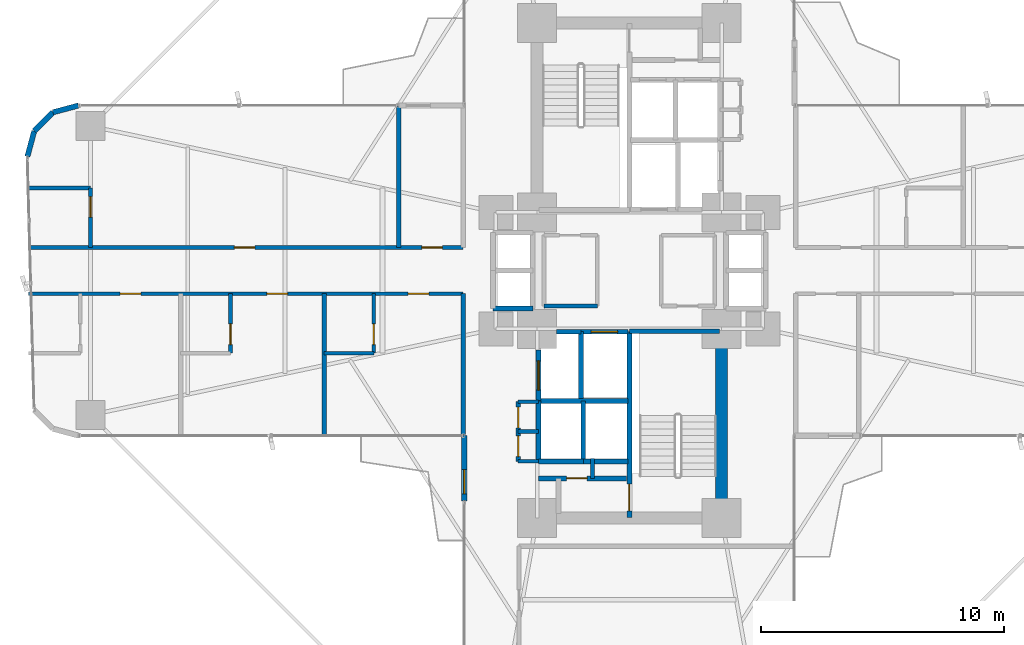
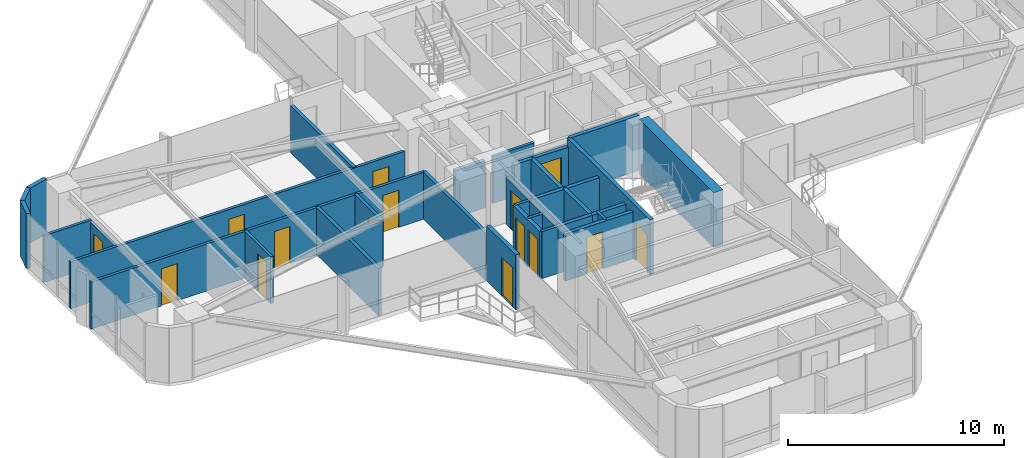
# One storey, part 22 of 25: 34 walls, 15 doors, 15 openings.
"""IFC4 building model written with IfcOpenShell, lengths in metres."""

from ifc_helpers import new_model, si_unit, direction, frame, frame_2d, origin, origin_2d, place, context, subcontext, project, spatial, rectangle, extrude, source, transform, mapped, material, layer, layer_set, type_object, element, fill, save


model = new_model("IFC4")

# Units and contexts
model_context = context("Model", 3, precision=1e-05, world=origin(), true_north=direction((0.0, 1.0)))
body_context = subcontext(model_context, "Body", "Model", "MODEL_VIEW")
ifc_project = project(units=[si_unit("LENGTHUNIT", "METRE"), si_unit("AREAUNIT", "SQUARE_METRE"), si_unit("VOLUMEUNIT", "CUBIC_METRE"), si_unit("PLANEANGLEUNIT", "RADIAN"), si_unit("MASSUNIT", "GRAM", prefix="KILO")], contexts=[model_context])

# Site, building, storey
site_placement = place(None, origin())
site = spatial("IfcSite", under=ifc_project, at=site_placement, CompositionType="ELEMENT")
building_placement = place(site_placement, origin())
building = spatial("IfcBuilding", under=site, at=building_placement, Name="Sahyath Konkavel Grand Hotel", CompositionType="ELEMENT")
storey_placement = place(building_placement, frame((0.0, 0.0, 33.14990234375)))
storey = spatial("IfcBuildingStorey", under=building, at=storey_placement, Name="L08", CompositionType="ELEMENT", Elevation=33.14990234375)

# Walls
ifc_material_1 = material(Name="Concrete C70/85", Category="concrete")
ifc_layer_1 = layer(ifc_material_1, 0.5)
ifc_layer_set_1 = layer_set([ifc_layer_1], Name="Concrete C70/85")
wall_type_1 = type_object("IfcWallType", Name="CWALL-500", PredefinedType="SHEAR", material=ifc_layer_set_1)
wall_1_placement = place(storey_placement, frame((3.800048828125, -9.75, 0.0), z_axis=(0.0, 0.0, 1.0), x_axis=(0.0, 1.0, 0.0)))
element("IfcWall", 1, at=wall_1_placement, inside=storey, type_object=wall_type_1, Name="L08 South Core Shear Wall E", PredefinedType="SHEAR", context=body_context, shape_type="SweptSolid", body=[
    extrude(rectangle(XDim=6.89990234375, YDim=0.5, at=frame_2d((3.449951171875, 0.0))), origin(), (0.0, 0.0, 1.0), 3.110107421875),
])
ifc_material_2 = material(Name="Warm Buff Sandstone Insulated Concrete C40/50", Category="masonry")
ifc_layer_2 = layer(ifc_material_2, 0.219970703125)
ifc_layer_set_2 = layer_set([ifc_layer_2], Name="Warm Buff Sandstone Insulated Concrete C40/50")
wall_type_2 = type_object("IfcWallType", Name="WLL-BALC-THRESH", PredefinedType="STANDARD", material=ifc_layer_set_2)
for number, where, z_axis, x_axis, name in (
    (2, (-22.699951171875, 6.800048828125, 0.0), (0.0, 0.0, 1.0), (-0.965951058412, -0.25872485917, 0.0), "L08 Rounded Corner Sandstone Pier 17"),
    (3, (-23.75, 6.518798828125, 0.0), (0.0, 0.0, 1.0), (-0.707106781187, -0.707106781187, 0.0), "L08 Rounded Corner Sandstone Pier 18"),
    (4, (-24.518798828125, 5.75, 0.0), (0.0, 0.0, 1.0), (-0.25872485917, -0.965951058412, 0.0), "L08 Rounded Corner Sandstone Pier 19"),
):
    element("IfcWall", number, at=place(storey_placement, frame(where, z_axis=z_axis, x_axis=x_axis)), inside=storey, type_object=wall_type_2, Name=name, PredefinedType="STANDARD", context=body_context, shape_type="SweptSolid", body=[
        extrude(rectangle(XDim=1.087158203125, YDim=0.219970703125, at=frame_2d((0.54345703125, 0.0))), origin(), (0.0, 0.0, 1.0), 3.110107421875),
    ])

# Wall, opening, door
wall_2_placement = place(storey_placement, frame((-6.800048828125, -6.800048828125, 0.0), z_axis=(0.0, 0.0, 1.0), x_axis=(0.0, -1.0, 0.0)))
wall_2 = element("IfcWall", 5, at=wall_2_placement, inside=storey, type_object=wall_type_2, Name="L08 Winter-Garden Threshold Wall 24", PredefinedType="STANDARD", context=body_context, shape_type="SweptSolid", body=[
    extrude(rectangle(XDim=2.699951171875, YDim=0.219970703125, at=frame_2d((1.35009765625, 0.0))), origin(), (0.0, 0.0, 1.0), 3.110107421875),
])
opening_1_placement = place(wall_2_placement, frame((1.39990234375, 0.0, 0.0)))
opening_1 = element("IfcOpeningElement", 6, at=opening_1_placement, cuts=wall_2, Name="Opening D-TR1", PredefinedType="OPENING", context=body_context, shape_type="SweptSolid", body=[
    extrude(rectangle(XDim=1.0, YDim=2.199951171875, at=frame_2d((0.5, 1.10009765625))), frame((0.0, 0.1201171875, 0.0), z_axis=(0.0, -1.0, 0.0), x_axis=(1.0, 0.0, 0.0)), (0.0, 0.0, 1.0), 0.239990234375),
])
ifc_material_3 = material(Name="Anodised Bronze Aluminium & Low-E Glazing", Category="aluminium")
door_type_1 = type_object("IfcDoorType", Name="DR-TERRACE-1000", OperationType="NOTDEFINED", PredefinedType="DOOR", material=ifc_material_3)
shared_shape_1 = source(origin(), body_context, "Body", "SweptSolid", [
    extrude(rectangle(XDim=1.0, YDim=0.050048828125, at=origin_2d()), origin(), (0.0, 0.0, 1.0), 2.199951171875),
])
door_1_placement = place(opening_1_placement, frame((0.5, 0.0, 0.0)))
door_1 = element("IfcDoor", 7, at=door_1_placement, inside=storey, type_object=door_type_1, Name="L08 Winter-Garden Terrace Door 24", OperationType="SINGLE_SWING_LEFT", OverallHeight=2.199951171875, OverallWidth=1.0, PredefinedType="DOOR", context=body_context, shape_type="MappedRepresentation", body=[
    mapped(shared_shape_1, transform((0.0, 0.0, 0.0), scale=1.0)),
])
fill(opening_1, door_1)

ifc_material_4 = material(Name="Concrete C40/50", Category="concrete")
ifc_layer_3 = layer(ifc_material_4, 0.199951171875)
ifc_layer_set_3 = layer_set([ifc_layer_3], Name="Concrete C40/50")
wall_type_3 = type_object("IfcWallType", Name="WLL-CORE-200", PredefinedType="SOLIDWALL", material=ifc_layer_set_3)
wall_3_placement = place(storey_placement, frame((0.0, -10.179931640625, 0.0), z_axis=(0.0, 0.0, 1.0), x_axis=(0.0, 1.0, 0.0)))
wall_3 = element("IfcWall", 8, at=wall_3_placement, inside=storey, type_object=wall_type_3, Name="L08 Stair ST-2 Shaft Wall W", PredefinedType="SOLIDWALL", context=body_context, shape_type="SweptSolid", body=[
    extrude(rectangle(XDim=7.679931640625, YDim=0.199951171875, at=frame_2d((3.83984375, 0.0))), origin(), (0.0, 0.0, 1.0), 3.110107421875),
])
opening_2_placement = place(wall_3_placement, frame((0.280029296875, 0.0, 0.0)))
opening_2 = element("IfcOpeningElement", 9, at=opening_2_placement, cuts=wall_3, Name="Opening D-F12B", PredefinedType="OPENING", context=body_context, shape_type="SweptSolid", body=[
    extrude(rectangle(XDim=1.10009765625, YDim=2.14990234375, at=frame_2d((0.550048828125, 1.074951171875))), frame((0.0, 0.10986328125, 0.0), z_axis=(0.0, -1.0, 0.0), x_axis=(1.0, 0.0, 0.0)), (0.0, 0.0, 1.0), 0.219970703125),
])
ifc_material_5 = material(Name="Steel E350 Smokeproof Fire Door", Category="steel")
door_type_2 = type_object("IfcDoorType", Name="DR-FD120-1100", OperationType="NOTDEFINED", PredefinedType="DOOR", material=ifc_material_5)
shared_shape_2 = source(origin(), body_context, "Body", "SweptSolid", [
    extrude(rectangle(XDim=1.10009765625, YDim=0.050048828125, at=origin_2d()), origin(), (0.0, 0.0, 1.0), 2.14990234375),
])
door_2_placement = place(opening_2_placement, frame((0.550048828125, 0.0, 0.0)))
door_2 = element("IfcDoor", 10, at=door_2_placement, inside=storey, type_object=door_type_2, Name="L08 Stair ST-2 Fire Door", OperationType="SINGLE_SWING_RIGHT", OverallHeight=2.14990234375, OverallWidth=1.10009765625, PredefinedType="DOOR", context=body_context, shape_type="MappedRepresentation", body=[
    mapped(shared_shape_2, transform((0.0, 0.0, 0.0), scale=1.0)),
])
fill(opening_2, door_2)

# Walls
wall_4_placement = place(storey_placement, frame((0.0, -2.5, 0.0), z_axis=(0.0, 0.0, 1.0), x_axis=(1.0, 0.0, 0.0)))
element("IfcWall", 11, at=wall_4_placement, inside=storey, type_object=wall_type_3, Name="L08 Stair ST-2 Shaft Wall N", PredefinedType="SOLIDWALL", context=body_context, shape_type="SweptSolid", body=[
    extrude(rectangle(XDim=3.719970703125, YDim=0.199951171875, at=frame_2d((1.85986328125, 0.0))), origin(), (0.0, 0.0, 1.0), 3.110107421875),
])
wall_5_placement = place(storey_placement, frame((-2.0, -5.280029296875, 0.0), z_axis=(0.0, 0.0, 1.0), x_axis=(0.0, 1.0, 0.0)))
element("IfcWall", 12, at=wall_5_placement, inside=storey, type_object=wall_type_3, Name="L08 Partition SH-FFL2-W", PredefinedType="SOLIDWALL", context=body_context, shape_type="SweptSolid", body=[
    extrude(rectangle(XDim=2.780029296875, YDim=0.199951171875, at=frame_2d((1.39013671875, 0.0))), origin(), (0.0, 0.0, 1.0), 2.66015625),
])

# Wall, opening, door
wall_6_placement = place(storey_placement, frame((-2.0, -2.52001953125, 0.0), z_axis=(0.0, 0.0, 1.0), x_axis=(1.0, 0.0, 0.0)))
wall_6 = element("IfcWall", 13, at=wall_6_placement, inside=storey, type_object=wall_type_3, Name="L08 Partition SH-FFL2-N", PredefinedType="SOLIDWALL", context=body_context, shape_type="SweptSolid", body=[
    extrude(rectangle(XDim=1.949951171875, YDim=0.199951171875, at=frame_2d((0.97509765625, 0.0))), origin(), (0.0, 0.0, 1.0), 2.66015625),
])
opening_3_placement = place(wall_6_placement, frame((0.419921875, 0.0, 0.0)))
opening_3 = element("IfcOpeningElement", 14, at=opening_3_placement, cuts=wall_6, Name="Opening LD-11", PredefinedType="OPENING", context=body_context, shape_type="SweptSolid", body=[
    extrude(rectangle(XDim=1.10009765625, YDim=2.199951171875, at=frame_2d((0.550048828125, 1.10009765625))), frame((0.0, 0.10986328125, 0.0), z_axis=(0.0, -1.0, 0.0), x_axis=(1.0, 0.0, 0.0)), (0.0, 0.0, 1.0), 0.219970703125),
])
ifc_material_6 = material(Name="Bronze Lift Landing Door 1100")
door_type_3 = type_object("IfcDoorType", Name="DR-LIFT-1100", OperationType="DOUBLE_DOOR_SLIDING", PredefinedType="DOOR", material=ifc_material_6)
shared_shape_3 = source(origin(), body_context, "Body", "SweptSolid", [
    extrude(rectangle(XDim=1.10009765625, YDim=0.050048828125, at=origin_2d()), origin(), (0.0, 0.0, 1.0), 2.199951171875),
])
door_3_placement = place(opening_3_placement, frame((0.550048828125, 0.0, 0.0)))
door_3 = element("IfcDoor", 15, at=door_3_placement, inside=storey, type_object=door_type_3, Name="L08 Lift FFL-2 Landing Door", OperationType="DOUBLE_DOOR_SLIDING", OverallHeight=2.199951171875, OverallWidth=1.10009765625, PredefinedType="DOOR", context=body_context, shape_type="MappedRepresentation", body=[
    mapped(shared_shape_3, transform((0.0, 0.0, 0.0), scale=1.0)),
])
fill(opening_3, door_3)

# Wall
wall_7_placement = place(storey_placement, frame((-3.0, -2.52001953125, 0.0), z_axis=(0.0, 0.0, 1.0), x_axis=(1.0, 0.0, 0.0)))
element("IfcWall", 16, at=wall_7_placement, inside=storey, type_object=wall_type_3, Name="L08 Partition SH-SVL2-N", PredefinedType="SOLIDWALL", context=body_context, shape_type="SweptSolid", body=[
    extrude(rectangle(XDim=1.0, YDim=0.199951171875, at=frame_2d((0.5, 0.0))), origin(), (0.0, 0.0, 1.0), 2.66015625),
])

# Wall, opening, door
wall_8_placement = place(storey_placement, frame((-3.739990234375, -5.360107421875, 0.0), z_axis=(0.0, 0.0, 1.0), x_axis=(0.0, 1.0, 0.0)))
wall_8 = element("IfcWall", 17, at=wall_8_placement, inside=storey, type_object=wall_type_3, Name="L08 Partition SH-SVL2-W", PredefinedType="SOLIDWALL", context=body_context, shape_type="SweptSolid", body=[
    extrude(rectangle(XDim=2.080078125, YDim=0.199951171875, at=frame_2d((1.0400390625, 0.0))), origin(), (0.0, 0.0, 1.0), 2.66015625),
])
opening_4_placement = place(wall_8_placement, frame((0.43994140625, 0.0, 0.0)))
opening_4 = element("IfcOpeningElement", 18, at=opening_4_placement, cuts=wall_8, Name="Opening LD-12", PredefinedType="OPENING", context=body_context, shape_type="SweptSolid", body=[
    extrude(rectangle(XDim=1.199951171875, YDim=2.199951171875, at=frame_2d((0.60009765625, 1.10009765625))), frame((0.0, 0.10986328125, 0.0), z_axis=(0.0, -1.0, 0.0), x_axis=(1.0, 0.0, 0.0)), (0.0, 0.0, 1.0), 0.219970703125),
])
ifc_material_7 = material(Name="Stainless Steel Lift Landing Door 1200", Category="steel")
door_type_4 = type_object("IfcDoorType", Name="DR-LIFT-1200", OperationType="DOUBLE_DOOR_SLIDING", PredefinedType="DOOR", material=ifc_material_7)
shared_shape_4 = source(origin(), body_context, "Body", "SweptSolid", [
    extrude(rectangle(XDim=1.199951171875, YDim=0.050048828125, at=origin_2d()), origin(), (0.0, 0.0, 1.0), 2.199951171875),
])
door_4_placement = place(opening_4_placement, frame((0.60009765625, 0.0, 0.0)))
door_4 = element("IfcDoor", 19, at=door_4_placement, inside=storey, type_object=door_type_4, Name="L08 Service Lift SVL-2 Landing Door", OperationType="DOUBLE_DOOR_SLIDING", OverallHeight=2.199951171875, OverallWidth=1.199951171875, PredefinedType="DOOR", context=body_context, shape_type="MappedRepresentation", body=[
    mapped(shared_shape_4, transform((0.0, 0.0, 0.0), scale=1.0)),
])
fill(opening_4, door_4)

# Walls
wall_9_placement = place(storey_placement, frame((-3.739990234375, -7.860107421875, 0.0), z_axis=(0.0, 0.0, 1.0), x_axis=(0.0, 1.0, 0.0)))
element("IfcWall", 20, at=wall_9_placement, inside=storey, type_object=wall_type_3, Name="L08 Partition SH-PL3-W", PredefinedType="SOLIDWALL", context=body_context, shape_type="SweptSolid", body=[
    extrude(rectangle(XDim=2.480224609375, YDim=0.199951171875, at=frame_2d((1.240234375, 0.0))), origin(), (0.0, 0.0, 1.0), 2.66015625),
])
wall_10_placement = place(storey_placement, frame((-3.739990234375, -7.860107421875, 0.0), z_axis=(0.0, 0.0, 1.0), x_axis=(1.0, 0.0, 0.0)))
element("IfcWall", 21, at=wall_10_placement, inside=storey, type_object=wall_type_3, Name="L08 Partition SH-PL3-S", PredefinedType="SOLIDWALL", context=body_context, shape_type="SweptSolid", body=[
    extrude(rectangle(XDim=1.840087890625, YDim=0.199951171875, at=frame_2d((0.919921875, 0.0))), origin(), (0.0, 0.0, 1.0), 2.66015625),
])
wall_11_placement = place(storey_placement, frame((-3.739990234375, -5.3798828125, 0.0), z_axis=(0.0, 0.0, 1.0), x_axis=(1.0, 0.0, 0.0)))
element("IfcWall", 22, at=wall_11_placement, inside=storey, type_object=wall_type_3, Name="L08 Partition SH-PL34-N", PredefinedType="SOLIDWALL", context=body_context, shape_type="SweptSolid", body=[
    extrude(rectangle(XDim=3.68994140625, YDim=0.199951171875, at=frame_2d((1.844970703125, 0.0))), origin(), (0.0, 0.0, 1.0), 2.66015625),
])
wall_12_placement = place(storey_placement, frame((-1.89990234375, -7.860107421875, 0.0), z_axis=(0.0, 0.0, 1.0), x_axis=(0.0, 1.0, 0.0)))
element("IfcWall", 23, at=wall_12_placement, inside=storey, type_object=wall_type_3, Name="L08 Partition SH-PL34-M", PredefinedType="SOLIDWALL", context=body_context, shape_type="SweptSolid", body=[
    extrude(rectangle(XDim=2.480224609375, YDim=0.199951171875, at=frame_2d((1.240234375, 0.0))), origin(), (0.0, 0.0, 1.0), 2.66015625),
])
wall_13_placement = place(storey_placement, frame((-1.89990234375, -7.860107421875, 0.0), z_axis=(0.0, 0.0, 1.0), x_axis=(1.0, 0.0, 0.0)))
element("IfcWall", 24, at=wall_13_placement, inside=storey, type_object=wall_type_3, Name="L08 Partition SH-PL4-S", PredefinedType="SOLIDWALL", context=body_context, shape_type="SweptSolid", body=[
    extrude(rectangle(XDim=1.849853515625, YDim=0.199951171875, at=frame_2d((0.9248046875, 0.0))), origin(), (0.0, 0.0, 1.0), 2.66015625),
])
wall_14_placement = place(storey_placement, frame((-5.6201171875, -1.56005859375, 0.0), z_axis=(0.0, 0.0, 1.0), x_axis=(1.0, 0.0, 0.0)))
element("IfcWall", 25, at=wall_14_placement, inside=storey, type_object=wall_type_3, Name="L08 Partition SH-SL12-S", PredefinedType="SOLIDWALL", context=body_context, shape_type="SweptSolid", body=[
    extrude(rectangle(XDim=1.64013671875, YDim=0.199951171875, at=frame_2d((0.820068359375, 0.0))), origin(), (0.0, 0.0, 1.0), 2.66015625),
])

# Wall, opening, door
wall_15_placement = place(storey_placement, frame((-3.739990234375, -8.56005859375, 0.0), z_axis=(0.0, 0.0, 1.0), x_axis=(1.0, 0.0, 0.0)))
wall_15 = element("IfcWall", 26, at=wall_15_placement, inside=storey, type_object=wall_type_3, Name="L08 South FF Lobby Separation Wall", PredefinedType="SOLIDWALL", context=body_context, shape_type="SweptSolid", body=[
    extrude(rectangle(XDim=3.619873046875, YDim=0.199951171875, at=frame_2d((1.81005859375, 0.0))), origin(), (0.0, 0.0, 1.0), 2.66015625),
])
opening_5_placement = place(wall_15_placement, frame((1.14990234375, 0.0, 0.0)))
opening_5 = element("IfcOpeningElement", 27, at=opening_5_placement, cuts=wall_15, Name="Opening D-F12D", PredefinedType="OPENING", context=body_context, shape_type="SweptSolid", body=[
    extrude(rectangle(XDim=0.85009765625, YDim=2.10009765625, at=frame_2d((0.425048828125, 1.050048828125))), frame((0.0, 0.10986328125, 0.0), z_axis=(0.0, -1.0, 0.0), x_axis=(1.0, 0.0, 0.0)), (0.0, 0.0, 1.0), 0.219970703125),
])
ifc_material_8 = material(Name="Steel E350 Core Fire Door", Category="steel")
door_type_5 = type_object("IfcDoorType", Name="DR-FD120-850", OperationType="NOTDEFINED", PredefinedType="DOOR", material=ifc_material_8)
shared_shape_5 = source(origin(), body_context, "Body", "SweptSolid", [
    extrude(rectangle(XDim=0.85009765625, YDim=0.050048828125, at=origin_2d()), origin(), (0.0, 0.0, 1.0), 2.10009765625),
])
door_5_placement = place(opening_5_placement, frame((0.425048828125, 0.0, 0.0)))
door_5 = element("IfcDoor", 28, at=door_5_placement, inside=storey, type_object=door_type_5, Name="L08 South Firefighting Lobby Door", OperationType="SINGLE_SWING_LEFT", OverallHeight=2.10009765625, OverallWidth=0.85009765625, PredefinedType="DOOR", context=body_context, shape_type="MappedRepresentation", body=[
    mapped(shared_shape_5, transform((0.0, 0.0, 0.0), scale=1.0)),
])
fill(opening_5, door_5)

# Wall, openings, doors
wall_16_placement = place(storey_placement, frame((-4.580078125, -7.860107421875, 0.0), z_axis=(0.0, 0.0, 1.0), x_axis=(0.0, 1.0, 0.0)))
wall_16 = element("IfcWall", 29, at=wall_16_placement, inside=storey, type_object=wall_type_3, Name="L08 Partition SC-FLK-W", PredefinedType="SOLIDWALL", context=body_context, shape_type="SweptSolid", body=[
    extrude(rectangle(XDim=2.460205078125, YDim=0.199951171875, at=frame_2d((1.22998046875, 0.0))), origin(), (0.0, 0.0, 1.0), 2.66015625),
])
opening_6_placement = place(wall_16_placement, frame((0.199951171875, 0.0, 0.0)))
opening_6 = element("IfcOpeningElement", 30, at=opening_6_placement, cuts=wall_16, Name="Opening D-F06D", PredefinedType="OPENING", context=body_context, shape_type="SweptSolid", body=[
    extrude(rectangle(XDim=0.85009765625, YDim=2.10009765625, at=frame_2d((0.425048828125, 1.050048828125))), frame((0.0, 0.10986328125, 0.0), z_axis=(0.0, -1.0, 0.0), x_axis=(1.0, 0.0, 0.0)), (0.0, 0.0, 1.0), 0.219970703125),
])
opening_7_placement = place(wall_16_placement, frame((1.3798828125, 0.0, 0.0)))
opening_7 = element("IfcOpeningElement", 31, at=opening_7_placement, cuts=wall_16, Name="Opening D-F06D", PredefinedType="OPENING", context=body_context, shape_type="SweptSolid", body=[
    extrude(rectangle(XDim=0.85009765625, YDim=2.10009765625, at=frame_2d((0.425048828125, 1.050048828125))), frame((0.0, 0.10986328125, 0.0), z_axis=(0.0, -1.0, 0.0), x_axis=(1.0, 0.0, 0.0)), (0.0, 0.0, 1.0), 0.219970703125),
])
ifc_material_9 = material(Name="Fire-Rated Shaft Access Door")
door_type_6 = type_object("IfcDoorType", Name="DR-FD60-850", OperationType="NOTDEFINED", PredefinedType="DOOR", material=ifc_material_9)
door_6_placement = place(opening_6_placement, frame((0.425048828125, 0.0, 0.0)))
door_6 = element("IfcDoor", 32, at=door_6_placement, inside=storey, type_object=door_type_6, Name="L08 Door SC-FLK1-D", OperationType="SINGLE_SWING_LEFT", OverallHeight=2.10009765625, OverallWidth=0.85009765625, PredefinedType="DOOR", context=body_context, shape_type="MappedRepresentation", body=[
    mapped(shared_shape_5, transform((0.0, 0.0, 0.0), scale=1.0)),
])
fill(opening_6, door_6)
door_7_placement = place(opening_7_placement, frame((0.425048828125, 0.0, 0.0)))
door_7 = element("IfcDoor", 33, at=door_7_placement, inside=storey, type_object=door_type_6, Name="L08 Door SC-FLK2-D", OperationType="SINGLE_SWING_RIGHT", OverallHeight=2.10009765625, OverallWidth=0.85009765625, PredefinedType="DOOR", context=body_context, shape_type="MappedRepresentation", body=[
    mapped(shared_shape_5, transform((0.0, 0.0, 0.0), scale=1.0)),
])
fill(opening_7, door_7)

# Walls
ifc_material_10 = material(Name="Twin-Stud Acoustic Gypsum Plasterboard Partition")
ifc_layer_4 = layer(ifc_material_10, 0.179931640625)
ifc_layer_set_4 = layer_set([ifc_layer_4], Name="Twin-Stud Acoustic Gypsum Plasterboard Partition")
wall_type_4 = type_object("IfcWallType", Name="WLL-DEMISE-180", PredefinedType="PARTITIONING", material=ifc_layer_set_4)
for number, where, z_axis, x_axis, name in (
    (34, (-6.85009765625, -0.949951171875, 0.0), (0.0, 0.0, 1.0), (0.0, -1.0, 0.0), "L08 Partition W-INL"),
    (35, (-12.577880859375, -0.949951171875, 0.0), (0.0, 0.0, 1.0), (0.0, -1.0, 0.0), "L08 Partition W-W1L-DEM"),
    (36, (-9.5, 0.949951171875, 0.0), (0.0, 0.0, 1.0), (0.0, 1.0, 0.0), "L08 Partition W-WHK-DEM"),
):
    element("IfcWall", number, at=place(storey_placement, frame(where, z_axis=z_axis, x_axis=x_axis)), inside=storey, type_object=wall_type_4, Name=name, PredefinedType="PARTITIONING", context=body_context, shape_type="SweptSolid", body=[
        extrude(rectangle(XDim=5.800048828125, YDim=0.179931640625, at=frame_2d((2.89990234375, 0.0))), origin(), (0.0, 0.0, 1.0), 2.66015625),
    ])
ifc_material_11 = material(Name="Fire-Rated Gypsum Plasterboard Partition")
ifc_layer_5 = layer(ifc_material_11, 0.14990234375)
ifc_layer_set_5 = layer_set([ifc_layer_5], Name="Fire-Rated Gypsum Plasterboard Partition")
wall_type_5 = type_object("IfcWallType", Name="WLL-PART-150", PredefinedType="PARTITIONING", material=ifc_layer_set_5)
wall_17_placement = place(storey_placement, frame((-1.52001953125, -8.56005859375, 0.0), z_axis=(0.0, 0.0, 1.0), x_axis=(0.0, 1.0, 0.0)))
element("IfcWall", 37, at=wall_17_placement, inside=storey, type_object=wall_type_5, Name="L08 Partition SC-VST-E", PredefinedType="PARTITIONING", context=body_context, shape_type="SweptSolid", body=[
    extrude(rectangle(XDim=0.820068359375, YDim=0.14990234375, at=frame_2d((0.41015625, 0.0))), origin(), (0.0, 0.0, 1.0), 2.66015625),
])
for number, where, z_axis, x_axis, name in (
    (38, (-4.580078125, -5.39990234375, 0.0), (0.0, 0.0, 1.0), (1.0, 0.0, 0.0), "L08 Partition SC-FLK-N"),
    (39, (-4.580078125, -7.860107421875, 0.0), (0.0, 0.0, 1.0), (1.0, 0.0, 0.0), "L08 Partition SC-FLK-S"),
    (40, (-4.580078125, -6.6298828125, 0.0), (0.0, 0.0, 1.0), (1.0, 0.0, 0.0), "L08 Partition SC-FLK-M"),
):
    element("IfcWall", number, at=place(storey_placement, frame(where, z_axis=z_axis, x_axis=x_axis)), inside=storey, type_object=wall_type_5, Name=name, PredefinedType="PARTITIONING", context=body_context, shape_type="SweptSolid", body=[
        extrude(rectangle(XDim=0.840087890625, YDim=0.14990234375, at=frame_2d((0.419921875, 0.0))), origin(), (0.0, 0.0, 1.0), 2.66015625),
    ])
wall_18_placement = place(storey_placement, frame((-3.52001953125, -1.4599609375, 0.0), z_axis=(0.0, 0.0, 1.0), x_axis=(1.0, 0.0, 0.0)))
element("IfcWall", 41, at=wall_18_placement, inside=storey, type_object=wall_type_5, Name="L08 Partition CC-1WS", PredefinedType="PARTITIONING", context=body_context, shape_type="SweptSolid", body=[
    extrude(rectangle(XDim=2.199951171875, YDim=0.14990234375, at=frame_2d((1.10009765625, 0.0))), origin(), (0.0, 0.0, 1.0), 2.66015625),
])

# Wall, openings, doors
wall_19_placement = place(storey_placement, frame((-6.85009765625, -0.949951171875, 0.0), z_axis=(0.0, 0.0, 1.0), x_axis=(-1.0, 0.0, 0.0)))
wall_19 = element("IfcWall", 42, at=wall_19_placement, inside=storey, type_object=wall_type_5, Name="L08 Partition W-CL", PredefinedType="PARTITIONING", context=body_context, shape_type="SweptSolid", body=[
    extrude(rectangle(XDim=17.89990234375, YDim=0.14990234375, at=frame_2d((8.949951171875, 0.0))), origin(), (0.0, 0.0, 1.0), 2.66015625),
])
opening_8_placement = place(wall_19_placement, frame((1.4140625, 0.0, 0.0)))
opening_8 = element("IfcOpeningElement", 43, at=opening_8_placement, cuts=wall_19, Name="Opening D-F06D", PredefinedType="OPENING", context=body_context, shape_type="SweptSolid", body=[
    extrude(rectangle(XDim=0.85009765625, YDim=2.10009765625, at=frame_2d((0.425048828125, 1.050048828125))), frame((0.0, 0.0849609375, 0.0), z_axis=(0.0, -1.0, 0.0), x_axis=(1.0, 0.0, 0.0)), (0.0, 0.0, 1.0), 0.169921875),
])
opening_9_placement = place(wall_19_placement, frame((7.23095703125, 0.0, 0.0)))
opening_9 = element("IfcOpeningElement", 44, at=opening_9_placement, cuts=wall_19, Name="Opening D-F06D", PredefinedType="OPENING", context=body_context, shape_type="SweptSolid", body=[
    extrude(rectangle(XDim=0.85009765625, YDim=2.10009765625, at=frame_2d((0.425048828125, 1.050048828125))), frame((0.0, 0.0849609375, 0.0), z_axis=(0.0, -1.0, 0.0), x_axis=(1.0, 0.0, 0.0)), (0.0, 0.0, 1.0), 0.169921875),
])
opening_10_placement = place(wall_19_placement, frame((13.278076171875, 0.0, 0.0)))
opening_10 = element("IfcOpeningElement", 45, at=opening_10_placement, cuts=wall_19, Name="Opening D-F06D", PredefinedType="OPENING", context=body_context, shape_type="SweptSolid", body=[
    extrude(rectangle(XDim=0.85009765625, YDim=2.10009765625, at=frame_2d((0.425048828125, 1.050048828125))), frame((0.0, 0.0849609375, 0.0), z_axis=(0.0, -1.0, 0.0), x_axis=(1.0, 0.0, 0.0)), (0.0, 0.0, 1.0), 0.169921875),
])
door_8_placement = place(opening_8_placement, frame((0.425048828125, 0.0, 0.0)))
door_8 = element("IfcDoor", 46, at=door_8_placement, inside=storey, type_object=door_type_6, Name="L08 Door W-W1L-ED", OperationType="SINGLE_SWING_LEFT", OverallHeight=2.10009765625, OverallWidth=0.85009765625, PredefinedType="DOOR", context=body_context, shape_type="MappedRepresentation", body=[
    mapped(shared_shape_5, transform((0.0, 0.0, 0.0), scale=1.0)),
])
fill(opening_8, door_8)
door_9_placement = place(opening_9_placement, frame((0.425048828125, 0.0, 0.0)))
door_9 = element("IfcDoor", 47, at=door_9_placement, inside=storey, type_object=door_type_6, Name="L08 Door W-W2L-ED", OperationType="SINGLE_SWING_LEFT", OverallHeight=2.10009765625, OverallWidth=0.85009765625, PredefinedType="DOOR", context=body_context, shape_type="MappedRepresentation", body=[
    mapped(shared_shape_5, transform((0.0, 0.0, 0.0), scale=1.0)),
])
fill(opening_9, door_9)
door_10_placement = place(opening_10_placement, frame((0.425048828125, 0.0, 0.0)))
door_10 = element("IfcDoor", 48, at=door_10_placement, inside=storey, type_object=door_type_6, Name="L08 Door W-W3L-ED", OperationType="SINGLE_SWING_LEFT", OverallHeight=2.10009765625, OverallWidth=0.85009765625, PredefinedType="DOOR", context=body_context, shape_type="MappedRepresentation", body=[
    mapped(shared_shape_5, transform((0.0, 0.0, 0.0), scale=1.0)),
])
fill(opening_10, door_10)

wall_20_placement = place(storey_placement, frame((-6.85009765625, 0.949951171875, 0.0), z_axis=(0.0, 0.0, 1.0), x_axis=(-1.0, 0.0, 0.0)))
wall_20 = element("IfcWall", 49, at=wall_20_placement, inside=storey, type_object=wall_type_5, Name="L08 Partition W-CR", PredefinedType="PARTITIONING", context=body_context, shape_type="SweptSolid", body=[
    extrude(rectangle(XDim=17.89990234375, YDim=0.14990234375, at=frame_2d((8.949951171875, 0.0))), origin(), (0.0, 0.0, 1.0), 2.66015625),
])
opening_11_placement = place(wall_20_placement, frame((0.85009765625, 0.0, 0.0)))
opening_11 = element("IfcOpeningElement", 50, at=opening_11_placement, cuts=wall_20, Name="Opening D-F06D", PredefinedType="OPENING", context=body_context, shape_type="SweptSolid", body=[
    extrude(rectangle(XDim=0.85009765625, YDim=2.10009765625, at=frame_2d((0.425048828125, 1.050048828125))), frame((0.0, 0.0849609375, 0.0), z_axis=(0.0, -1.0, 0.0), x_axis=(1.0, 0.0, 0.0)), (0.0, 0.0, 1.0), 0.169921875),
])
opening_12_placement = place(wall_20_placement, frame((8.574951171875, 0.0, 0.0)))
opening_12 = element("IfcOpeningElement", 51, at=opening_12_placement, cuts=wall_20, Name="Opening D-F06D", PredefinedType="OPENING", context=body_context, shape_type="SweptSolid", body=[
    extrude(rectangle(XDim=0.85009765625, YDim=2.10009765625, at=frame_2d((0.425048828125, 1.050048828125))), frame((0.0, 0.0849609375, 0.0), z_axis=(0.0, -1.0, 0.0), x_axis=(1.0, 0.0, 0.0)), (0.0, 0.0, 1.0), 0.169921875),
])
door_11_placement = place(opening_11_placement, frame((0.425048828125, 0.0, 0.0)))
door_11 = element("IfcDoor", 52, at=door_11_placement, inside=storey, type_object=door_type_6, Name="L08 Door W-WHK-D", OperationType="SINGLE_SWING_RIGHT", OverallHeight=2.10009765625, OverallWidth=0.85009765625, PredefinedType="DOOR", context=body_context, shape_type="MappedRepresentation", body=[
    mapped(shared_shape_5, transform((0.0, 0.0, 0.0), scale=1.0)),
])
fill(opening_11, door_11)
door_12_placement = place(opening_12_placement, frame((0.425048828125, 0.0, 0.0)))
door_12 = element("IfcDoor", 53, at=door_12_placement, inside=storey, type_object=door_type_6, Name="L08 Door W-W2R-ED", OperationType="SINGLE_SWING_RIGHT", OverallHeight=2.10009765625, OverallWidth=0.85009765625, PredefinedType="DOOR", context=body_context, shape_type="MappedRepresentation", body=[
    mapped(shared_shape_5, transform((0.0, 0.0, 0.0), scale=1.0)),
])
fill(opening_12, door_12)

# Wall, opening, door
wall_21_placement = place(storey_placement, frame((-10.528076171875, -0.949951171875, 0.0), z_axis=(0.0, 0.0, 1.0), x_axis=(0.0, -1.0, 0.0)))
wall_21 = element("IfcWall", 54, at=wall_21_placement, inside=storey, type_object=wall_type_5, Name="L08 Partition W-W1L-BS", PredefinedType="PARTITIONING", context=body_context, shape_type="SweptSolid", body=[
    extrude(rectangle(XDim=2.449951171875, YDim=0.14990234375, at=frame_2d((1.22509765625, 0.0))), origin(), (0.0, 0.0, 1.0), 2.66015625),
])
opening_13_placement = place(wall_21_placement, frame((1.25, 0.0, 0.0)))
opening_13 = element("IfcOpeningElement", 55, at=opening_13_placement, cuts=wall_21, Name="Opening D-BT85", PredefinedType="OPENING", context=body_context, shape_type="SweptSolid", body=[
    extrude(rectangle(XDim=0.85009765625, YDim=2.10009765625, at=frame_2d((0.425048828125, 1.050048828125))), frame((0.0, 0.0849609375, 0.0), z_axis=(0.0, -1.0, 0.0), x_axis=(1.0, 0.0, 0.0)), (0.0, 0.0, 1.0), 0.169921875),
])
ifc_material_12 = material(Name="Moisture-Resistant Teak Bathroom Door")
door_type_7 = type_object("IfcDoorType", Name="DR-BATH-850", OperationType="NOTDEFINED", PredefinedType="DOOR", material=ifc_material_12)
door_13_placement = place(opening_13_placement, frame((0.425048828125, 0.0, 0.0)))
door_13 = element("IfcDoor", 56, at=door_13_placement, inside=storey, type_object=door_type_7, Name="L08 Door W-W1L-BD", OperationType="SINGLE_SWING_RIGHT", OverallHeight=2.10009765625, OverallWidth=0.85009765625, PredefinedType="DOOR", context=body_context, shape_type="MappedRepresentation", body=[
    mapped(shared_shape_5, transform((0.0, 0.0, 0.0), scale=1.0)),
])
fill(opening_13, door_13)

# Wall
wall_22_placement = place(storey_placement, frame((-10.528076171875, -3.39990234375, 0.0), z_axis=(0.0, 0.0, 1.0), x_axis=(-1.0, 0.0, 0.0)))
element("IfcWall", 57, at=wall_22_placement, inside=storey, type_object=wall_type_5, Name="L08 Partition W-W1L-BF", PredefinedType="PARTITIONING", context=body_context, shape_type="SweptSolid", body=[
    extrude(rectangle(XDim=2.0498046875, YDim=0.14990234375, at=frame_2d((1.02490234375, 0.0))), origin(), (0.0, 0.0, 1.0), 2.630126953125),
])

# Wall, opening, door
wall_23_placement = place(storey_placement, frame((-16.43505859375, -0.949951171875, 0.0), z_axis=(0.0, 0.0, 1.0), x_axis=(0.0, -1.0, 0.0)))
wall_23 = element("IfcWall", 58, at=wall_23_placement, inside=storey, type_object=wall_type_5, Name="L08 Partition W-W2L-BS", PredefinedType="PARTITIONING", context=body_context, shape_type="SweptSolid", body=[
    extrude(rectangle(XDim=2.449951171875, YDim=0.14990234375, at=frame_2d((1.22509765625, 0.0))), origin(), (0.0, 0.0, 1.0), 2.66015625),
])
opening_14_placement = place(wall_23_placement, frame((1.25, 0.0, 0.0)))
opening_14 = element("IfcOpeningElement", 59, at=opening_14_placement, cuts=wall_23, Name="Opening D-BT85", PredefinedType="OPENING", context=body_context, shape_type="SweptSolid", body=[
    extrude(rectangle(XDim=0.85009765625, YDim=2.10009765625, at=frame_2d((0.425048828125, 1.050048828125))), frame((0.0, 0.0849609375, 0.0), z_axis=(0.0, -1.0, 0.0), x_axis=(1.0, 0.0, 0.0)), (0.0, 0.0, 1.0), 0.169921875),
])
door_14_placement = place(opening_14_placement, frame((0.425048828125, 0.0, 0.0)))
door_14 = element("IfcDoor", 60, at=door_14_placement, inside=storey, type_object=door_type_7, Name="L08 Door W-W2L-BD", OperationType="SINGLE_SWING_RIGHT", OverallHeight=2.10009765625, OverallWidth=0.85009765625, PredefinedType="DOOR", context=body_context, shape_type="MappedRepresentation", body=[
    mapped(shared_shape_5, transform((0.0, 0.0, 0.0), scale=1.0)),
])
fill(opening_14, door_14)

wall_24_placement = place(storey_placement, frame((-22.199951171875, 0.949951171875, 0.0), z_axis=(0.0, 0.0, 1.0), x_axis=(0.0, 1.0, 0.0)))
wall_24 = element("IfcWall", 61, at=wall_24_placement, inside=storey, type_object=wall_type_5, Name="L08 Partition W-W2R-BS", PredefinedType="PARTITIONING", context=body_context, shape_type="SweptSolid", body=[
    extrude(rectangle(XDim=2.449951171875, YDim=0.14990234375, at=frame_2d((1.22509765625, 0.0))), origin(), (0.0, 0.0, 1.0), 2.580078125),
])
opening_15_placement = place(wall_24_placement, frame((1.25, 0.0, 0.0)))
opening_15 = element("IfcOpeningElement", 62, at=opening_15_placement, cuts=wall_24, Name="Opening D-BT85", PredefinedType="OPENING", context=body_context, shape_type="SweptSolid", body=[
    extrude(rectangle(XDim=0.85009765625, YDim=2.10009765625, at=frame_2d((0.425048828125, 1.050048828125))), frame((0.0, 0.0849609375, 0.0), z_axis=(0.0, -1.0, 0.0), x_axis=(1.0, 0.0, 0.0)), (0.0, 0.0, 1.0), 0.169921875),
])
door_15_placement = place(opening_15_placement, frame((0.425048828125, 0.0, 0.0)))
door_15 = element("IfcDoor", 63, at=door_15_placement, inside=storey, type_object=door_type_7, Name="L08 Door W-W2R-BD", OperationType="SINGLE_SWING_LEFT", OverallHeight=2.10009765625, OverallWidth=0.85009765625, PredefinedType="DOOR", context=body_context, shape_type="MappedRepresentation", body=[
    mapped(shared_shape_5, transform((0.0, 0.0, 0.0), scale=1.0)),
])
fill(opening_15, door_15)

# Wall
wall_25_placement = place(storey_placement, frame((-22.199951171875, 3.39990234375, 0.0), z_axis=(0.0, 0.0, 1.0), x_axis=(-1.0, 0.0, 0.0)))
element("IfcWall", 64, at=wall_25_placement, inside=storey, type_object=wall_type_5, Name="L08 Partition W-W2R-BF", PredefinedType="PARTITIONING", context=body_context, shape_type="SweptSolid", body=[
    extrude(rectangle(XDim=2.550048828125, YDim=0.14990234375, at=frame_2d((1.27490234375, 0.0))), origin(), (0.0, 0.0, 1.0), 2.66015625),
])

save(model, "model.ifc")
